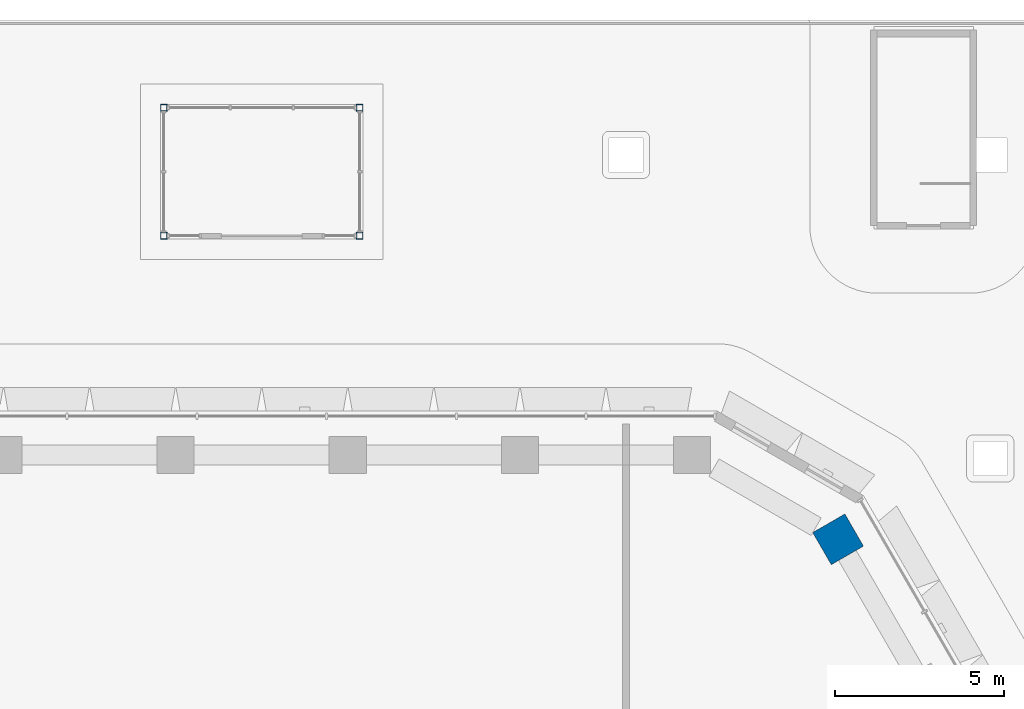
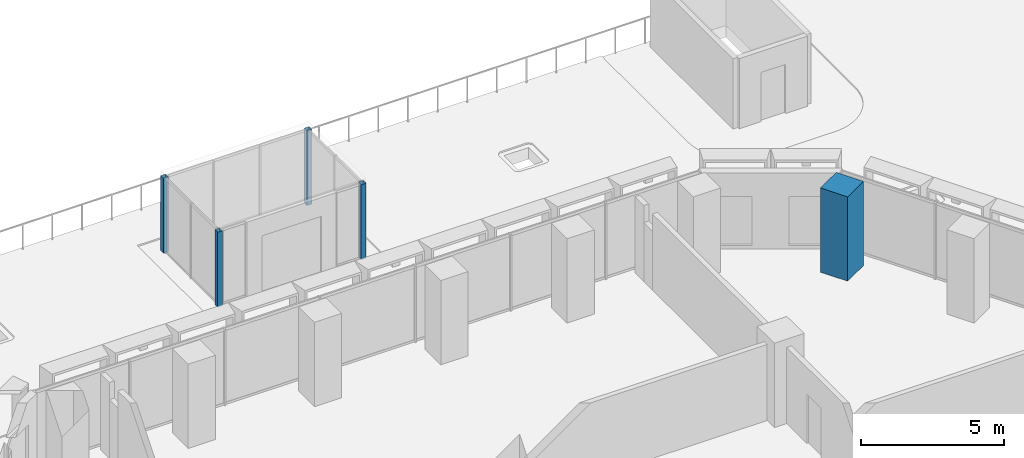
# One storey, part 5 of 38: 5 columns.
"""IFC4 building model written with IfcOpenShell, lengths in metres."""

from ifc_helpers import new_model, si_unit, direction, frame, origin, origin_2d, place, context, subcontext, project, spatial, rectangle, hollow_rectangle, extrude, material, material_profile, profile_set, type_object, element, save


model = new_model("IFC4")

# Units and contexts
model_context = context("Model", 3, precision=1e-05, world=origin(), true_north=direction((0.0, 1.0)))
body_context = subcontext(model_context, "Body", "Model", "MODEL_VIEW")
ifc_project = project(units=[si_unit("LENGTHUNIT", "METRE"), si_unit("AREAUNIT", "SQUARE_METRE"), si_unit("VOLUMEUNIT", "CUBIC_METRE"), si_unit("PLANEANGLEUNIT", "RADIAN"), si_unit("MASSUNIT", "GRAM", prefix="KILO")], contexts=[model_context])

# Site, building, storey
site_placement = place(None, origin())
site = spatial("IfcSite", under=ifc_project, at=site_placement, CompositionType="ELEMENT")
building_placement = place(site_placement, origin())
building = spatial("IfcBuilding", under=site, at=building_placement, Name="Beryl Residences", CompositionType="ELEMENT")
storey_placement = place(building_placement, frame((0.0, 0.0, 9.0)))
storey = spatial("IfcBuildingStorey", under=building, at=storey_placement, Name="L02", CompositionType="ELEMENT", Elevation=9.0)

# Columns
ifc_material_1 = material(Name="Concrete C80/95", Category="concrete")
ifc_material_profile_1 = material_profile(ifc_material_1, rectangle(XDim=1.10009765625, YDim=1.10009765625, at=origin_2d()))
ifc_profile_set_1 = profile_set([ifc_material_profile_1], Name="Concrete C80/95")
column_type_1 = type_object("IfcColumnType", Name="C1 tube column 1100 x 1100 C80/95", PredefinedType="COLUMN", material=ifc_profile_set_1)
column_placement = place(storey_placement, frame((17.089111328125, 24.60107421875, 0.0), z_axis=(0.0, 0.0, 1.0), x_axis=(-0.499984884929, 0.866034130299, 0.0)))
element("IfcColumn", 1, at=column_placement, inside=storey, type_object=column_type_1, Name="C1-NE6 L02", PredefinedType="COLUMN", context=body_context, shape_type="SweptSolid", body=[
    extrude(rectangle(XDim=1.10009765625, YDim=1.10009765625, at=origin_2d()), origin(), (0.0, 0.0, 1.0), 3.60009765625),
])
ifc_material_2 = material(Name="Steel S355", Category="steel")
ifc_material_profile_2 = material_profile(ifc_material_2, hollow_rectangle(XDim=0.199951171875, YDim=0.199951171875, WallThickness=0.010009765625, at=origin_2d()))
ifc_profile_set_2 = profile_set([ifc_material_profile_2], Name="Steel S355")
column_type_2 = type_object("IfcColumnType", Name="PC1 pavilion column 200 mm", PredefinedType="COLUMN", material=ifc_profile_set_2)
for number, where, z_axis, x_axis, name in (
    (2, (-2.89990234375, 33.60009765625, 0.0), (0.0, 0.0, 1.0), (1.0, 0.0, 0.0), "PC1 pavilion column 3.1"),
    (3, (-2.89990234375, 37.39990234375, 0.0), (0.0, 0.0, 1.0), (1.0, 0.0, 0.0), "PC1 pavilion column 3.2"),
    (4, (2.89990234375, 33.60009765625, 0.0), (0.0, 0.0, 1.0), (1.0, 0.0, 0.0), "PC1 pavilion column 3.3"),
    (5, (2.89990234375, 37.39990234375, 0.0), (0.0, 0.0, 1.0), (1.0, 0.0, 0.0), "PC1 pavilion column 3.4"),
):
    element("IfcColumn", number, at=place(storey_placement, frame(where, z_axis=z_axis, x_axis=x_axis)), inside=storey, type_object=column_type_2, Name=name, PredefinedType="COLUMN", context=body_context, shape_type="SweptSolid", body=[
        extrude(hollow_rectangle(XDim=0.199951171875, YDim=0.199951171875, WallThickness=0.010009765625, at=origin_2d()), origin(), (0.0, 0.0, 1.0), 3.199951171875),
    ])

save(model, "model.ifc")
